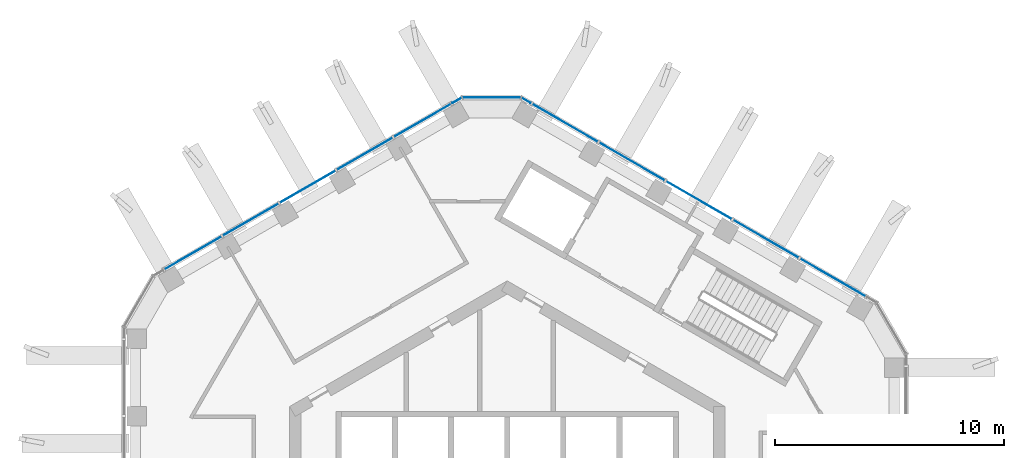
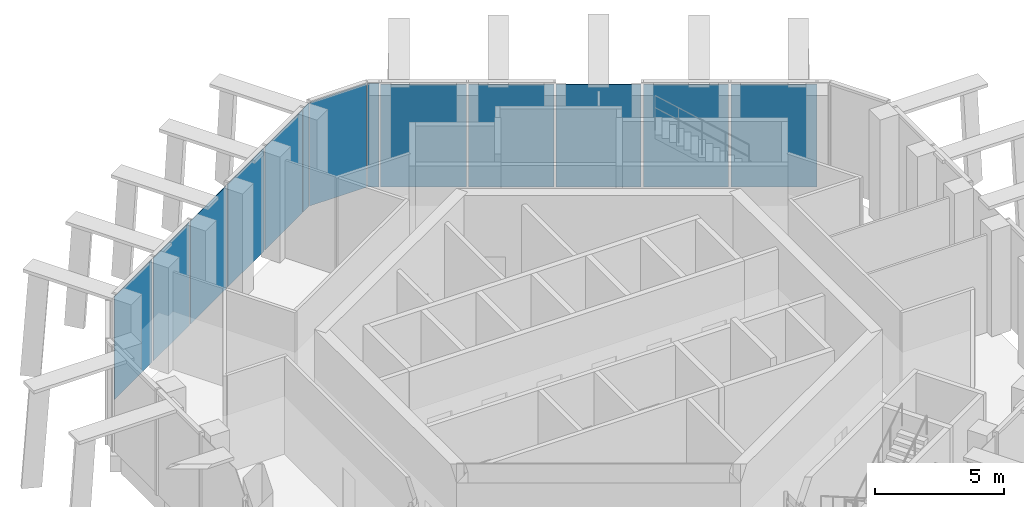
# One storey, part 10 of 17: 13 plates, 3 elements without a shape of their own.
"""IFC4 building model written with IfcOpenShell, lengths in metres."""

from ifc_helpers import new_model, si_unit, direction, frame, origin, origin_2d, place, context, subcontext, project, spatial, rectangle, extrude, material, layer, layer_set, type_object, element, aggregate, save


model = new_model("IFC4")

# Units and contexts
model_context = context("Model", 3, precision=1e-05, world=origin(), true_north=direction((0.0, 1.0)))
body_context = subcontext(model_context, "Body", "Model", "MODEL_VIEW")
ifc_project = project(units=[si_unit("LENGTHUNIT", "METRE"), si_unit("AREAUNIT", "SQUARE_METRE"), si_unit("VOLUMEUNIT", "CUBIC_METRE"), si_unit("PLANEANGLEUNIT", "RADIAN"), si_unit("MASSUNIT", "GRAM", prefix="KILO")], contexts=[model_context])

# Site, building, storey
site_placement = place(None, origin())
site = spatial("IfcSite", under=ifc_project, at=site_placement, CompositionType="ELEMENT")
building_placement = place(site_placement, origin())
building = spatial("IfcBuilding", under=site, at=building_placement, Name="Ayvan Gate Tower", CompositionType="ELEMENT")
storey_placement = place(building_placement, frame((0.0, 0.0, 257.89990234375)))
storey = spatial("IfcBuildingStorey", under=building, at=storey_placement, Name="L69", CompositionType="ELEMENT", Elevation=257.89990234375)

# Curtain wall, plates
ifc_material_1 = material(Name="Bronze anodised aluminium", Category="aluminium")
ifc_layer_1 = layer(ifc_material_1, 0.199951171875)
ifc_layer_set_1 = layer_set([ifc_layer_1], Name="Bronze anodised aluminium")
curtain_wall_type_1 = type_object("IfcCurtainWallType", Name="Stick curtain wall CW-5", PredefinedType="NOTDEFINED", material=ifc_layer_set_1)
curtain_wall_1_placement = place(storey_placement, origin())
curtain_wall_1 = element("IfcCurtainWall", 1, at=curtain_wall_1_placement, inside=storey, type_object=curtain_wall_type_1, Name="Stick curtain wall CW-5 L69", PredefinedType="NOTDEFINED")
ifc_material_2 = material(Name="Clear low-iron laminated glass", Category="glass")
ifc_layer_2 = layer(ifc_material_2, 0.028076171875)
ifc_layer_set_2 = layer_set([ifc_layer_2], Name="Clear low-iron laminated glass")
plate_type_1 = type_object("IfcPlateType", Name="Stick curtain wall CW-5 glass panel", PredefinedType="CURTAIN_PANEL", material=ifc_layer_set_2)
plate_1_placement = place(storey_placement, frame((-3.678955078125, 17.982177734375, 0.0), z_axis=(0.0, 0.0, 1.0), x_axis=(-0.866025403784, -0.5, 0.0)))
plate_1 = element("IfcPlate", 2, at=plate_1_placement, type_object=plate_type_1, Name="CW-5 glass panel 1", PredefinedType="CURTAIN_PANEL", context=body_context, shape_type="SweptSolid", body=[
    extrude(rectangle(XDim=2.902099609375, YDim=0.028076171875, at=origin_2d()), origin(), (0.0, 0.0, 1.0), 4.85009765625),
])
plate_2_placement = place(storey_placement, frame((-6.218505859375, 16.515869140625, 0.0), z_axis=(0.0, 0.0, 1.0), x_axis=(-0.866025403784, -0.5, 0.0)))
plate_2 = element("IfcPlate", 3, at=plate_2_placement, type_object=plate_type_1, Name="CW-5 glass panel 2", PredefinedType="CURTAIN_PANEL", context=body_context, shape_type="SweptSolid", body=[
    extrude(rectangle(XDim=2.782958984375, YDim=0.028076171875, at=origin_2d()), origin(), (0.0, 0.0, 1.0), 4.85009765625),
])
plate_3_placement = place(storey_placement, frame((-8.706298828125, 15.07958984375, 0.0), z_axis=(0.0, 0.0, 1.0), x_axis=(-0.866025403784, -0.5, 0.0)))
plate_3 = element("IfcPlate", 4, at=plate_3_placement, type_object=plate_type_1, Name="CW-5 glass panel 3", PredefinedType="CURTAIN_PANEL", context=body_context, shape_type="SweptSolid", body=[
    extrude(rectangle(XDim=2.781982421875, YDim=0.028076171875, at=origin_2d()), origin(), (0.0, 0.0, 1.0), 4.85009765625),
])
plate_4_placement = place(storey_placement, frame((-11.19384765625, 13.643310546875, 0.0), z_axis=(0.0, 0.0, 1.0), x_axis=(-0.866025403784, -0.5, 0.0)))
plate_4 = element("IfcPlate", 5, at=plate_4_placement, type_object=plate_type_1, Name="CW-5 glass panel 4", PredefinedType="CURTAIN_PANEL", context=body_context, shape_type="SweptSolid", body=[
    extrude(rectangle(XDim=2.782958984375, YDim=0.028076171875, at=origin_2d()), origin(), (0.0, 0.0, 1.0), 4.85009765625),
])
plate_5_placement = place(storey_placement, frame((-13.733642578125, 12.17724609375, 0.0), z_axis=(0.0, 0.0, 1.0), x_axis=(-0.866025403784, -0.5, 0.0)))
plate_5 = element("IfcPlate", 6, at=plate_5_placement, type_object=plate_type_1, Name="CW-5 glass panel 5", PredefinedType="CURTAIN_PANEL", context=body_context, shape_type="SweptSolid", body=[
    extrude(rectangle(XDim=2.902099609375, YDim=0.028076171875, at=origin_2d()), origin(), (0.0, 0.0, 1.0), 4.85009765625),
])
aggregate(curtain_wall_1, [plate_1, plate_2, plate_3, plate_4, plate_5])

curtain_wall_2_placement = place(storey_placement, origin())
curtain_wall_2 = element("IfcCurtainWall", 7, at=curtain_wall_2_placement, inside=storey, type_object=curtain_wall_type_1, Name="Stick curtain wall CW-5 L69", PredefinedType="NOTDEFINED")
plate_6_placement = place(storey_placement, frame((14.229736328125, 11.1044921875, 0.0), z_axis=(0.0, 0.0, 1.0), x_axis=(-0.866025403784, 0.5, 0.0)))
plate_6 = element("IfcPlate", 8, at=plate_6_placement, type_object=plate_type_1, Name="CW-5 glass panel 1", PredefinedType="CURTAIN_PANEL", context=body_context, shape_type="SweptSolid", body=[
    extrude(rectangle(XDim=3.327880859375, YDim=0.028076171875, at=origin_2d()), origin(), (0.0, 0.0, 1.0), 4.85009765625),
])
plate_7_placement = place(storey_placement, frame((11.288330078125, 12.802734375, 0.0), z_axis=(0.0, 0.0, 1.0), x_axis=(-0.866025403784, 0.5, 0.0)))
plate_7 = element("IfcPlate", 9, at=plate_7_placement, type_object=plate_type_1, Name="CW-5 glass panel 2", PredefinedType="CURTAIN_PANEL", context=body_context, shape_type="SweptSolid", body=[
    extrude(rectangle(XDim=3.284912109375, YDim=0.028076171875, at=origin_2d()), origin(), (0.0, 0.0, 1.0), 4.85009765625),
])
plate_8_placement = place(storey_placement, frame((8.365966796875, 14.489990234375, 0.0), z_axis=(0.0, 0.0, 1.0), x_axis=(-0.866025403784, 0.5, 0.0)))
plate_8 = element("IfcPlate", 10, at=plate_8_placement, type_object=plate_type_1, Name="CW-5 glass panel 3", PredefinedType="CURTAIN_PANEL", context=body_context, shape_type="SweptSolid", body=[
    extrude(rectangle(XDim=3.283935546875, YDim=0.028076171875, at=origin_2d()), origin(), (0.0, 0.0, 1.0), 4.85009765625),
])
plate_9_placement = place(storey_placement, frame((5.443603515625, 16.17724609375, 0.0), z_axis=(0.0, 0.0, 1.0), x_axis=(-0.866025403784, 0.5, 0.0)))
plate_9 = element("IfcPlate", 11, at=plate_9_placement, type_object=plate_type_1, Name="CW-5 glass panel 4", PredefinedType="CURTAIN_PANEL", context=body_context, shape_type="SweptSolid", body=[
    extrude(rectangle(XDim=3.284912109375, YDim=0.028076171875, at=origin_2d()), origin(), (0.0, 0.0, 1.0), 4.85009765625),
])
plate_10_placement = place(storey_placement, frame((2.501953125, 17.875732421875, 0.0), z_axis=(0.0, 0.0, 1.0), x_axis=(-0.866025403784, 0.5, 0.0)))
plate_10 = element("IfcPlate", 12, at=plate_10_placement, type_object=plate_type_1, Name="CW-5 glass panel 5", PredefinedType="CURTAIN_PANEL", context=body_context, shape_type="SweptSolid", body=[
    extrude(rectangle(XDim=3.328125, YDim=0.028076171875, at=origin_2d()), origin(), (0.0, 0.0, 1.0), 4.85009765625),
])
aggregate(curtain_wall_2, [plate_6, plate_7, plate_8, plate_9, plate_10])

ifc_layer_3 = layer(ifc_material_1, 0.199951171875)
ifc_layer_set_3 = layer_set([ifc_layer_3], Name="Bronze anodised aluminium")
curtain_wall_type_2 = type_object("IfcCurtainWallType", Name="Stick curtain wall CW-6", PredefinedType="NOTDEFINED", material=ifc_layer_set_3)
curtain_wall_3_placement = place(storey_placement, origin())
curtain_wall_3 = element("IfcCurtainWall", 13, at=curtain_wall_3_placement, inside=storey, type_object=curtain_wall_type_2, Name="Stick curtain wall CW-6 L69", PredefinedType="NOTDEFINED")
ifc_layer_4 = layer(ifc_material_2, 0.028076171875)
ifc_layer_set_4 = layer_set([ifc_layer_4], Name="Clear low-iron laminated glass")
plate_type_2 = type_object("IfcPlateType", Name="Stick curtain wall CW-6 glass panel", PredefinedType="CURTAIN_PANEL", material=ifc_layer_set_4)
plate_11_placement = place(storey_placement, frame((0.8271484375, 18.8427734375, 0.000244140625), z_axis=(0.0, 0.0, 1.0), x_axis=(-0.866025403784, 0.5, 0.0)))
plate_11 = element("IfcPlate", 14, at=plate_11_placement, type_object=plate_type_2, Name="CW-6 glass panel 1", PredefinedType="CURTAIN_PANEL", context=body_context, shape_type="SweptSolid", body=[
    extrude(rectangle(XDim=0.449951171875, YDim=0.028076171875, at=origin_2d()), origin(), (0.0, 0.0, 1.0), 4.8798828125),
])
plate_12_placement = place(storey_placement, frame((-0.6806640625, 18.9677734375, 0.000244140625), z_axis=(0.0, 0.0, 1.0), x_axis=(-1.0, 0.0, 0.0)))
plate_12 = element("IfcPlate", 15, at=plate_12_placement, type_object=plate_type_2, Name="CW-6 glass panel 2", PredefinedType="CURTAIN_PANEL", context=body_context, shape_type="SweptSolid", body=[
    extrude(rectangle(XDim=2.532470703125, YDim=0.028076171875, at=origin_2d()), origin(), (0.0, 0.0, 1.0), 4.8798828125),
])
plate_13_placement = place(storey_placement, frame((-2.1884765625, 18.8427734375, 0.000244140625), z_axis=(0.0, 0.0, 1.0), x_axis=(-0.866025403784, -0.5, 0.0)))
plate_13 = element("IfcPlate", 16, at=plate_13_placement, type_object=plate_type_2, Name="CW-6 glass panel 3", PredefinedType="CURTAIN_PANEL", context=body_context, shape_type="SweptSolid", body=[
    extrude(rectangle(XDim=0.449951171875, YDim=0.028076171875, at=origin_2d()), origin(), (0.0, 0.0, 1.0), 4.8798828125),
])
aggregate(curtain_wall_3, [plate_11, plate_12, plate_13])

save(model, "model.ifc")
